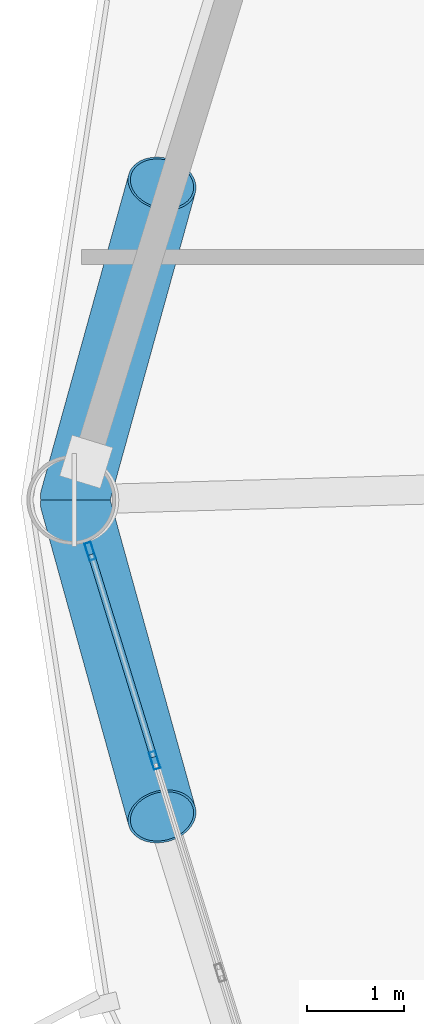
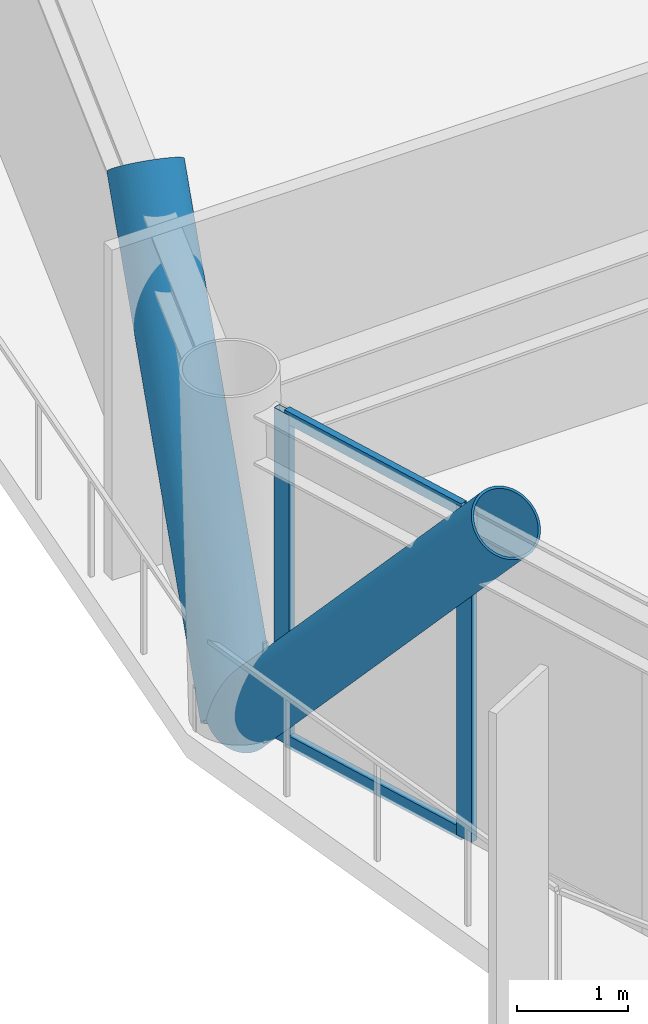
# One storey, part 8 of 25: 6 members, 1 element without a shape of its own.
"""IFC4 building model written with IfcOpenShell, lengths in metres."""

from ifc_helpers import new_model, si_unit, direction, frame, origin, origin_2d, place, context, subcontext, project, spatial, hollow_rectangle, hollow_circle, extrude, material, layer, layer_set, material_profile, profile_set, type_object, element, aggregate, save


model = new_model("IFC4")

# Units and contexts
model_context = context("Model", 3, precision=1e-05, world=origin(), true_north=direction((0.0, 1.0)))
body_context = subcontext(model_context, "Body", "Model", "MODEL_VIEW")
ifc_project = project(units=[si_unit("LENGTHUNIT", "METRE"), si_unit("AREAUNIT", "SQUARE_METRE"), si_unit("VOLUMEUNIT", "CUBIC_METRE"), si_unit("PLANEANGLEUNIT", "RADIAN"), si_unit("MASSUNIT", "GRAM", prefix="KILO")], contexts=[model_context])

# Site, building, storey
site_placement = place(None, origin())
site = spatial("IfcSite", under=ifc_project, at=site_placement, CompositionType="ELEMENT")
building_placement = place(site_placement, origin())
building = spatial("IfcBuilding", under=site, at=building_placement, Name="Varnakorn Sky Granary", CompositionType="ELEMENT")
storey_placement = place(building_placement, frame((0.0, 0.0, 62.699951171875)))
storey = spatial("IfcBuildingStorey", under=building, at=storey_placement, Name="L15", CompositionType="ELEMENT", Elevation=62.699951171875)

# Curtain wall, members
ifc_material_1 = material(Name="Anodised Bronze Aluminium Alloy 6063-T6", Category="aluminium")
ifc_layer = layer(ifc_material_1, 0.18994140625, Name="Anodised Bronze Aluminium Alloy 6063-T6")
ifc_layer_set = layer_set([ifc_layer], Name="Anodised Bronze Aluminium Alloy 6063-T6")
curtain_wall_type = type_object("IfcCurtainWallType", Name="CW-FRM-1", PredefinedType="USERDEFINED", material=ifc_layer_set)
curtain_wall_placement = place(storey_placement, origin())
curtain_wall = element("IfcCurtainWall", 1, at=curtain_wall_placement, inside=storey, type_object=curtain_wall_type, Name="Unitised Curtain Wall CW3 CW-L15-B07", ObjectType="CURTAIN WALL", PredefinedType="USERDEFINED")
ifc_material_profile_1 = material_profile(ifc_material_1, hollow_rectangle(XDim=0.070068359375, YDim=0.18505859375, WallThickness=0.00390625, at=origin_2d()), Name="ALU MULL 70x185")
ifc_profile_set_1 = profile_set([ifc_material_profile_1], Name="Anodised Bronze Aluminium Alloy 6063-T6")
member_type_1 = type_object("IfcMemberType", Name="CW-FRM-1-MULL", PredefinedType="MULLION", material=ifc_profile_set_1)
member_1_placement = place(storey_placement, frame((-22.180419921875, -2.677978515625, 0.0), z_axis=(0.0, 0.0, 1.0), x_axis=(-0.955606663525, -0.294645387928, 0.0)))
member_1 = element("IfcMember", 2, at=member_1_placement, type_object=member_type_1, Name="CW3 mullion 4", PredefinedType="MULLION", context=body_context, shape_type="SweptSolid", body=[
    extrude(hollow_rectangle(XDim=0.070068359375, YDim=0.18505859375, WallThickness=0.00390625, at=origin_2d()), origin(), (0.0, 0.0, 1.0), 3.64013671875),
])
member_2_placement = place(storey_placement, frame((-22.843505859375, -0.52734375, 0.0), z_axis=(0.0, 0.0, 1.0), x_axis=(-0.955606663525, -0.294645387928, 0.0)))
member_2 = element("IfcMember", 3, at=member_2_placement, type_object=member_type_1, Name="CW3 mullion 5", PredefinedType="MULLION", context=body_context, shape_type="SweptSolid", body=[
    extrude(hollow_rectangle(XDim=0.070068359375, YDim=0.18505859375, WallThickness=0.00390625, at=origin_2d()), origin(), (0.0, 0.0, 1.0), 3.64013671875),
])
ifc_material_profile_2 = material_profile(ifc_material_1, hollow_rectangle(XDim=0.070068359375, YDim=0.139892578125, WallThickness=0.00341796875, at=origin_2d()), Name="ALU TRAN 70x140")
ifc_profile_set_2 = profile_set([ifc_material_profile_2], Name="Anodised Bronze Aluminium Alloy 6063-T6")
member_type_2 = type_object("IfcMemberType", Name="CW-FRM-1-TRAN", PredefinedType="USERDEFINED", material=ifc_profile_set_2)
member_3_placement = place(storey_placement, frame((-22.190673828125, -2.64453125, 0.03515625), z_axis=(-0.294581484011, 0.955626364893, 0.0), x_axis=(-0.955626364893, -0.294581484011, 0.0)))
member_3 = element("IfcMember", 4, at=member_3_placement, type_object=member_type_2, Name="CW3 transom 4.1", ObjectType="TRANSOM", PredefinedType="USERDEFINED", context=body_context, shape_type="SweptSolid", body=[
    extrude(hollow_rectangle(XDim=0.070068359375, YDim=0.139892578125, WallThickness=0.00341796875, at=origin_2d()), origin(), (0.0, 0.0, 1.0), 2.180419921875),
])
member_4_placement = place(storey_placement, frame((-22.190673828125, -2.64453125, 3.60498046875), z_axis=(-0.294581484011, 0.955626364893, 0.0), x_axis=(-0.955626364893, -0.294581484011, 0.0)))
member_4 = element("IfcMember", 5, at=member_4_placement, type_object=member_type_2, Name="CW3 transom 4.2", ObjectType="TRANSOM", PredefinedType="USERDEFINED", context=body_context, shape_type="SweptSolid", body=[
    extrude(hollow_rectangle(XDim=0.070068359375, YDim=0.139892578125, WallThickness=0.00341796875, at=origin_2d()), origin(), (0.0, 0.0, 1.0), 2.180419921875),
])
aggregate(curtain_wall, [member_1, member_2, member_3, member_4])

# Members
ifc_material_2 = material(Name="Steel S460M", Category="steel")
ifc_material_profile_3 = material_profile(ifc_material_2, hollow_circle(Radius=0.35546875, WallThickness=0.02490234375, at=origin_2d()), Name="CHS 711x25")
ifc_profile_set_3 = profile_set([ifc_material_profile_3], Name="Steel S460M")
member_type_3 = type_object("IfcMemberType", Name="MB-DIAG-T0", PredefinedType="BRACE", material=ifc_profile_set_3)
for number, where, z_axis, x_axis, name in (
    (6, (-23.006103515625, 0.0, 0.0), (0.177520263109, 0.641112193782, 0.746633585616), (-0.96373717349, 0.266853256366, 0.0), "Perimeter CHS Diagrid Brace DG06 L15"),
    (7, (-23.006103515625, 0.0, 0.0), (0.177520263109, -0.641112193782, 0.746633585616), (0.96373717349, 0.266853256366, 0.0), "Perimeter CHS Diagrid Brace DG07 L15"),
):
    element("IfcMember", number, at=place(storey_placement, frame(where, z_axis=z_axis, x_axis=x_axis)), inside=storey, type_object=member_type_3, Name=name, PredefinedType="BRACE", context=body_context, shape_type="SweptSolid", body=[
        extrude(hollow_circle(Radius=0.35546875, WallThickness=0.02490234375, at=origin_2d()), origin(), (0.0, 0.0, 1.0), 5.076171875),
    ])

save(model, "model.ifc")
